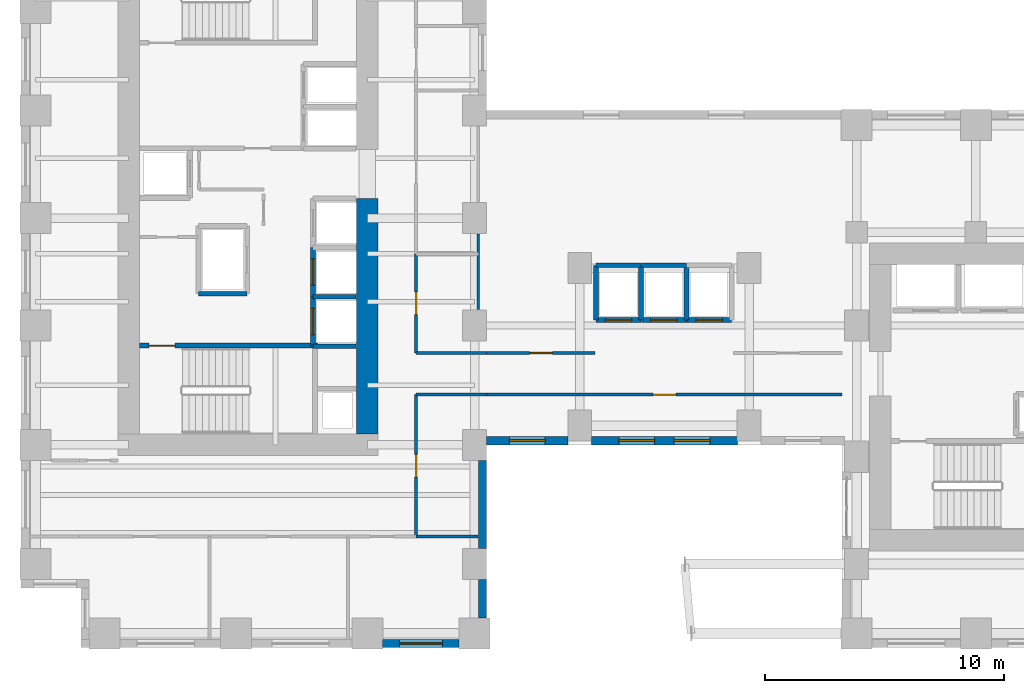
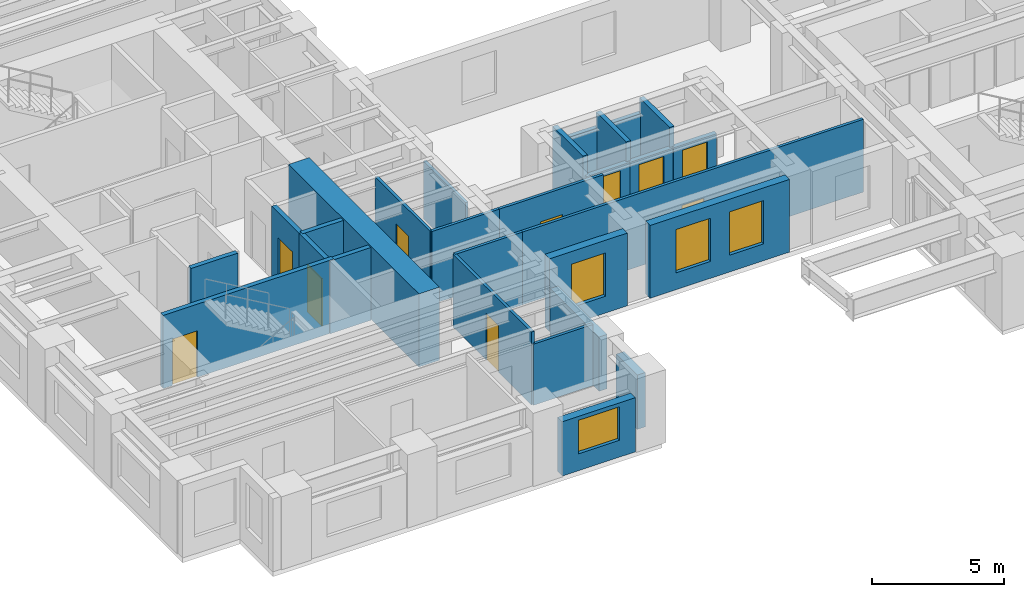
# One storey, part 7 of 14: 28 walls, 10 doors, 4 windows, 14 openings.
"""IFC4 building model written with IfcOpenShell, lengths in metres."""

import ifcopenshell
import ifcopenshell.guid

model = None  # the IFC model being written
_history = None  # IfcOwnerHistory: only IFC2X3 demands one
_inside = {}  # id of a spatial element -> (the spatial element, [elements in it])
_under = {}  # id of a project, library or spatial element -> (it, [spatial elements below it])
_declared = {}  # id of a project -> (the project, [libraries it declares])
_typed = {}  # id of a type object -> (the type object, [elements of that type])
_made_of = {}  # id of a material, layer set ... -> (it, [elements and type objects made of it])


def new_model(schema):
    """Start an empty IFC model of exactly this schema.

    Asked for "IFC4X3", IfcOpenShell would pick the latest addendum, in which some entities
    have other attributes; the version numbers below select the first issue.
    IFC2X3 requires an IfcOwnerHistory on every rooted entity: one is made here for all.
    """
    global model, _history
    if schema == "IFC4X3":
        model = ifcopenshell.file(schema_version=(4, 3, 0, 0))
    else:
        model = ifcopenshell.file(schema=schema)
    _inside.clear()
    _under.clear()
    _declared.clear()
    _typed.clear()
    _made_of.clear()
    _history = None
    if model.schema == "IFC2X3":
        org = make("IfcOrganization", Name="unknown")
        user = make(
            "IfcPersonAndOrganization",
            ThePerson=make("IfcPerson", FamilyName="unknown"),
            TheOrganization=org,
        )
        app = make(
            "IfcApplication",
            ApplicationDeveloper=org,
            Version="unknown",
            ApplicationFullName="unknown",
            ApplicationIdentifier="unknown",
        )
        _history = make(
            "IfcOwnerHistory",
            OwningUser=user,
            OwningApplication=app,
            ChangeAction="ADDED",
            CreationDate=0,
        )
    return model


def make(cls, **values):
    """One entity of the class cls with the attributes given. An attribute that is None is left unset."""
    return model.create_entity(
        cls, **{name: value for name, value in values.items() if value is not None}
    )


def rooted(cls, **values):
    """An entity with a GlobalId (a new one), such as an element, a storey or a relation."""
    return make(cls, GlobalId=ifcopenshell.guid.new(), OwnerHistory=_history, **values)


def si_unit(unit_type, name, prefix=None):
    """IfcSIUnit, for example si_unit("LENGTHUNIT", "METRE", prefix="MILLI")."""
    return make("IfcSIUnit", UnitType=unit_type, Prefix=prefix, Name=name)


def assignment(units):
    """IfcUnitAssignment: the units of a project."""
    return None if units is None else make("IfcUnitAssignment", Units=units)


def point(xyz):
    """IfcCartesianPoint."""
    return None if xyz is None else make("IfcCartesianPoint", Coordinates=xyz)


def direction(xyz):
    """IfcDirection."""
    return None if xyz is None else make("IfcDirection", DirectionRatios=xyz)


def frame(location, z_axis=None, x_axis=None):
    """IfcAxis2Placement3D, a coordinate frame: its origin and axes. An axis left out is left unset."""
    return make(
        "IfcAxis2Placement3D",
        Location=point(location),
        Axis=direction(z_axis),
        RefDirection=direction(x_axis),
    )


def frame_2d(location, x_axis=None):
    """IfcAxis2Placement2D, a coordinate frame in the plane: its origin and x axis."""
    return make(
        "IfcAxis2Placement2D", Location=point(location), RefDirection=direction(x_axis)
    )


def origin():
    """The frame at (0, 0, 0) with its axes left unset."""
    return frame((0.0, 0.0, 0.0))


def place(relative_to, where):
    """IfcLocalPlacement: puts the frame where relative to a parent placement (None: the world)."""
    return make(
        "IfcLocalPlacement", PlacementRelTo=relative_to, RelativePlacement=where
    )


def context(
    kind, dimensions, precision=None, world=None, true_north=None, identifier=None
):
    """IfcGeometricRepresentationContext, for example the 3D "Model" context."""
    return make(
        "IfcGeometricRepresentationContext",
        ContextIdentifier=identifier,
        ContextType=kind,
        CoordinateSpaceDimension=dimensions,
        Precision=precision,
        WorldCoordinateSystem=world,
        TrueNorth=true_north,
    )


def subcontext(parent, identifier, kind, view, scale=None):
    """IfcGeometricRepresentationSubContext, for example "Body" below "Model"."""
    return make(
        "IfcGeometricRepresentationSubContext",
        ContextIdentifier=identifier,
        ContextType=kind,
        ParentContext=parent,
        TargetScale=scale,
        TargetView=view,
    )


def project(units=None, contexts=None):
    """IfcProject with its units and contexts."""
    return rooted(
        "IfcProject",
        Name="project",
        RepresentationContexts=contexts,
        UnitsInContext=assignment(units),
    )


def spatial(cls, under=None, at=None, **own):
    """A site, building, storey or space (cls), placed at a placement, below another one or the project."""
    s = rooted(cls, ObjectPlacement=at, **own)
    if under is not None:
        _under.setdefault(under.id(), (under, []))[1].append(s)
    return s


def profile(cls, at=None, kind="AREA", **sizes):
    """A parametric profile (cls). Its sizes go by their IFC names, for example OverallWidth=200.0."""
    return make(cls, ProfileType=kind, Position=at, **sizes)


def rectangle(**sizes):
    """IfcRectangleProfileDef."""
    return profile("IfcRectangleProfileDef", **sizes)


def extrude(swept, where, along, depth):
    """IfcExtrudedAreaSolid: the profile swept, set in the frame where, extruded along a direction by depth."""
    return make(
        "IfcExtrudedAreaSolid",
        SweptArea=swept,
        Position=where,
        ExtrudedDirection=direction(along),
        Depth=depth,
    )


def shape(context_of_items, identifier, shape_type, items):
    """IfcShapeRepresentation: the items that make up one representation, for example the "Body"."""
    return make(
        "IfcShapeRepresentation",
        ContextOfItems=context_of_items,
        RepresentationIdentifier=identifier,
        RepresentationType=shape_type,
        Items=items,
    )


def source(mapping_origin, context_of_items, identifier, shape_type, items):
    """IfcRepresentationMap: a shape defined once, which mapped items show again and again."""
    return make(
        "IfcRepresentationMap",
        MappingOrigin=mapping_origin,
        MappedRepresentation=shape(context_of_items, identifier, shape_type, items),
    )


def transform(
    local_origin,
    x_axis=None,
    y_axis=None,
    z_axis=None,
    scale=None,
    scale2=None,
    scale3=None,
    uniform=True,
):
    """IfcCartesianTransformationOperator3D, or its non-uniform kind. x_axis, y_axis, z_axis: its Axis1, 2, 3."""
    if uniform:
        return make(
            "IfcCartesianTransformationOperator3D",
            Axis1=direction(x_axis),
            Axis2=direction(y_axis),
            LocalOrigin=point(local_origin),
            Scale=scale,
            Axis3=direction(z_axis),
        )
    return make(
        "IfcCartesianTransformationOperator3DnonUniform",
        Axis1=direction(x_axis),
        Axis2=direction(y_axis),
        LocalOrigin=point(local_origin),
        Scale=scale,
        Axis3=direction(z_axis),
        Scale2=scale2,
        Scale3=scale3,
    )


def mapped(mapping_source, mapping_target):
    """IfcMappedItem: shows the shape of a source again, moved by a transform."""
    return make(
        "IfcMappedItem", MappingSource=mapping_source, MappingTarget=mapping_target
    )


def material(Name=None, Category=None):
    """IfcMaterial."""
    return make("IfcMaterial", Name=Name, Category=Category)


def layer(
    of_material, thickness, ventilated=None, Name=None, Category=None, Priority=None
):
    """IfcMaterialLayer: one layer of a wall or slab, of a material (None: an air gap)."""
    return make(
        "IfcMaterialLayer",
        Material=of_material,
        LayerThickness=thickness,
        IsVentilated=ventilated,
        Name=Name,
        Category=Category,
        Priority=Priority,
    )


def layer_set(layers, Name=None):
    """IfcMaterialLayerSet."""
    return make("IfcMaterialLayerSet", MaterialLayers=layers, LayerSetName=Name)


def made_of(thing, what):
    """Note that an element or type object is made of a material, layer set ...; save() writes the relation."""
    if what is not None:
        _made_of.setdefault(what.id(), (what, []))[1].append(thing)
    return thing


def type_object(cls, material=None, **own):
    """A type object (cls), such as IfcWallType, which elements share."""
    return made_of(rooted(cls, **own), material)


def element(
    cls,
    number,
    at=None,
    inside=None,
    cuts=None,
    type_object=None,
    material=None,
    context=None,
    identifier="Body",
    shape_type=None,
    held_by="IfcProductDefinitionShape",
    body=None,
    shapes=None,
    **own,
):
    """One element of the class cls, such as IfcWall. Its Tag is "e" and its number.

    at: its placement. inside: the storey or other place that contains it. cuts: it is an
    opening in that element (IfcRelVoidsElement). A single representation is given by context,
    identifier, shape_type and body (its items); several are given by shapes. held_by: the class
    of the entity that holds the representations. save() writes the other relations.
    """
    e = rooted(cls, Tag="e%d" % number, ObjectPlacement=at, **own)
    if body is not None:
        shapes = [shape(context, identifier, shape_type, body)]
    if shapes is not None:
        e.Representation = make(held_by, Representations=shapes)
    if inside is not None:
        _inside.setdefault(inside.id(), (inside, []))[1].append(e)
    if cuts is not None:
        rooted(
            "IfcRelVoidsElement", RelatingBuildingElement=cuts, RelatedOpeningElement=e
        )
    if type_object is not None:
        _typed.setdefault(type_object.id(), (type_object, []))[1].append(e)
    return made_of(e, material)


def fill(opening, filler):
    """IfcRelFillsElement: the door or window that sits in an opening."""
    return rooted(
        "IfcRelFillsElement",
        RelatingOpeningElement=opening,
        RelatedBuildingElement=filler,
    )


def aggregate(whole, parts):
    """IfcRelAggregates: a whole, such as a stair, and the parts it consists of."""
    return rooted("IfcRelAggregates", RelatingObject=whole, RelatedObjects=parts)


def save(model, path):
    """Write the relations noted so far, then the file.

    IfcRelAggregates (storeys below a building ...), IfcRelContainedInSpatialStructure (elements
    in a storey), IfcRelDefinesByType, IfcRelAssociatesMaterial and IfcRelDeclares: one each for
    every whole, place, type object, material and project.
    """
    for whole, parts in _under.values():
        aggregate(whole, parts)
    for where, things in _inside.values():
        rooted(
            "IfcRelContainedInSpatialStructure",
            RelatedElements=things,
            RelatingStructure=where,
        )
    for kind, things in _typed.values():
        rooted("IfcRelDefinesByType", RelatedObjects=things, RelatingType=kind)
    for what, things in _made_of.values():
        rooted("IfcRelAssociatesMaterial", RelatedObjects=things, RelatingMaterial=what)
    for by, libraries in _declared.values():
        rooted("IfcRelDeclares", RelatingContext=by, RelatedDefinitions=libraries)
    model.write(path)


model = new_model("IFC4")

# Units and contexts
model_context = context("Model", 3, precision=1e-05, world=origin(), true_north=direction((0.0, 1.0)))
body_context = subcontext(model_context, "Body", "Model", "MODEL_VIEW")
ifc_project = project(units=[si_unit("LENGTHUNIT", "METRE"), si_unit("AREAUNIT", "SQUARE_METRE"), si_unit("VOLUMEUNIT", "CUBIC_METRE"), si_unit("PLANEANGLEUNIT", "RADIAN"), si_unit("MASSUNIT", "GRAM", prefix="KILO")], contexts=[model_context])

# Site, building, storey
site_placement = place(None, origin())
site = spatial("IfcSite", under=ifc_project, at=site_placement, CompositionType="ELEMENT")
building_placement = place(site_placement, origin())
building = spatial("IfcBuilding", under=site, at=building_placement, Name="Kharzan Plaza Tower", CompositionType="ELEMENT")
storey_placement = place(building_placement, frame((0.0, 0.0, 44.10009765625)))
storey = spatial("IfcBuildingStorey", under=building, at=storey_placement, Name="L11", CompositionType="ELEMENT", Elevation=44.10009765625)

# Wall, opening, window
ifc_material_1 = material(Name="Concrete C40/50", Category="concrete")
ifc_layer_1 = layer(ifc_material_1, 0.35009765625)
ifc_layer_set_1 = layer_set([ifc_layer_1], Name="Concrete C40/50")
wall_type_1 = type_object("IfcWallType", Name="WL-EXT-MAS-Z1", PredefinedType="SOLIDWALL", material=ifc_layer_set_1)
wall_1_placement = place(storey_placement, frame((15.14794921875, 0.175048828125, 0.0), z_axis=(0.0, 0.0, 1.0), x_axis=(1.0, 0.0, 0.0)))
wall_1 = element("IfcWall", 1, at=wall_1_placement, inside=storey, type_object=wall_type_1, Name="L11 Masonry-Frame Exterior Wall 25", PredefinedType="SOLIDWALL", context=body_context, shape_type="SweptSolid", body=[
    extrude(rectangle(XDim=3.2041015625, YDim=0.35009765625, at=frame_2d((1.60205078125, 0.0))), origin(), (0.0, 0.0, 1.0), 2.510009765625),
])
opening_1_placement = place(wall_1_placement, frame((0.701904296875, 0.0, 0.780029296875)))
opening_1 = element("IfcOpeningElement", 2, at=opening_1_placement, cuts=wall_1, Name="Opening W1", PredefinedType="OPENING", context=body_context, shape_type="SweptSolid", body=[
    extrude(rectangle(XDim=1.800048828125, YDim=1.550048828125, at=frame_2d((0.89990234375, 0.77490234375))), frame((0.0, 0.18505859375, 0.0), z_axis=(0.0, -1.0, 0.0), x_axis=(1.0, 0.0, 0.0)), (0.0, 0.0, 1.0), 0.3701171875),
])
ifc_material_2 = material(Name="Low-E Double Glazing", Category="glass")
window_type_1 = type_object("IfcWindowType", Name="WN-REC-1800x2100", PartitioningType="SINGLE_PANEL", PredefinedType="WINDOW", material=ifc_material_2)
shared_shape_1 = source(origin(), body_context, "Body", "SweptSolid", [
    extrude(rectangle(XDim=1.800048828125, YDim=1.550048828125, at=frame_2d((0.89990234375, 0.77490234375))), frame((0.0, 0.030029296875, 0.0), z_axis=(0.0, -1.0, 0.0), x_axis=(1.0, 0.0, 0.0)), (0.0, 0.0, 1.0), 0.06005859375),
])
window_1_placement = place(opening_1_placement, origin())
window_1 = element("IfcWindow", 3, at=window_1_placement, inside=storey, type_object=window_type_1, Name="L11 Recessed Solar-Control Window 25-1", OverallHeight=1.550048828125, OverallWidth=1.800048828125, PartitioningType="SINGLE_PANEL", PredefinedType="WINDOW", context=body_context, shape_type="MappedRepresentation", body=[
    mapped(shared_shape_1, transform((0.0, 0.0, 0.0), x_axis=(1.0, 0.0, 0.0), y_axis=(0.0, 1.0, 0.0), z_axis=(0.0, 0.0, 1.0))),
])
fill(opening_1, window_1)

wall_2_placement = place(storey_placement, frame((19.498046875, 8.675048828125, 0.0), z_axis=(0.0, 0.0, 1.0), x_axis=(1.0, 0.0, 0.0)))
wall_2 = element("IfcWall", 4, at=wall_2_placement, inside=storey, type_object=wall_type_1, Name="L11 Masonry-Frame Exterior Wall 28", PredefinedType="SOLIDWALL", context=body_context, shape_type="SweptSolid", body=[
    extrude(rectangle(XDim=3.404052734375, YDim=0.35009765625, at=frame_2d((1.7021484375, 0.0))), origin(), (0.0, 0.0, 1.0), 3.364990234375),
])
opening_2_placement = place(wall_2_placement, frame((0.951904296875, 0.0, 0.780029296875)))
opening_2 = element("IfcOpeningElement", 5, at=opening_2_placement, cuts=wall_2, Name="Opening W5", PredefinedType="OPENING", context=body_context, shape_type="SweptSolid", body=[
    extrude(rectangle(XDim=1.5, YDim=2.0, at=frame_2d((0.75, 1.0))), frame((0.0, 0.18505859375, 0.0), z_axis=(0.0, -1.0, 0.0), x_axis=(1.0, 0.0, 0.0)), (0.0, 0.0, 1.0), 0.3701171875),
])
window_type_2 = type_object("IfcWindowType", Name="WN-SLT-1500x2000", PartitioningType="SINGLE_PANEL", PredefinedType="WINDOW", material=ifc_material_2)
shared_shape_2 = source(origin(), body_context, "Body", "SweptSolid", [
    extrude(rectangle(XDim=1.5, YDim=2.0, at=frame_2d((0.75, 1.0))), frame((0.0, 0.030029296875, 0.0), z_axis=(0.0, -1.0, 0.0), x_axis=(1.0, 0.0, 0.0)), (0.0, 0.0, 1.0), 0.06005859375),
])
window_2_placement = place(opening_2_placement, origin())
window_2 = element("IfcWindow", 6, at=window_2_placement, inside=storey, type_object=window_type_2, Name="L11 Recessed Solar-Control Window 28-1", OverallHeight=2.0, OverallWidth=1.5, PartitioningType="SINGLE_PANEL", PredefinedType="WINDOW", context=body_context, shape_type="MappedRepresentation", body=[
    mapped(shared_shape_2, transform((0.0, 0.0, 0.0), x_axis=(1.0, 0.0, 0.0), y_axis=(0.0, 1.0, 0.0), z_axis=(0.0, 0.0, 1.0))),
])
fill(opening_2, window_2)

# Wall, openings, windows
wall_3_placement = place(storey_placement, frame((23.89794921875, 8.675048828125, 0.0), z_axis=(0.0, 0.0, 1.0), x_axis=(1.0, 0.0, 0.0)))
wall_3 = element("IfcWall", 7, at=wall_3_placement, inside=storey, type_object=wall_type_1, Name="L11 Masonry-Frame Exterior Wall 29", PredefinedType="SOLIDWALL", context=body_context, shape_type="SweptSolid", body=[
    extrude(rectangle(XDim=6.10400390625, YDim=0.35009765625, at=frame_2d((3.052001953125, 0.0))), origin(), (0.0, 0.0, 1.0), 3.364990234375),
])
opening_3_placement = place(wall_3_placement, frame((1.141357421875, 0.0, 0.780029296875)))
opening_3 = element("IfcOpeningElement", 8, at=opening_3_placement, cuts=wall_3, Name="Opening W5", PredefinedType="OPENING", context=body_context, shape_type="SweptSolid", body=[
    extrude(rectangle(XDim=1.5, YDim=2.0, at=frame_2d((0.75, 1.0))), frame((0.0, 0.18505859375, 0.0), z_axis=(0.0, -1.0, 0.0), x_axis=(1.0, 0.0, 0.0)), (0.0, 0.0, 1.0), 0.3701171875),
])
opening_4_placement = place(wall_3_placement, frame((3.462646484375, 0.0, 0.780029296875)))
opening_4 = element("IfcOpeningElement", 9, at=opening_4_placement, cuts=wall_3, Name="Opening W5", PredefinedType="OPENING", context=body_context, shape_type="SweptSolid", body=[
    extrude(rectangle(XDim=1.5, YDim=2.0, at=frame_2d((0.75, 1.0))), frame((0.0, 0.18505859375, 0.0), z_axis=(0.0, -1.0, 0.0), x_axis=(1.0, 0.0, 0.0)), (0.0, 0.0, 1.0), 0.3701171875),
])
window_3_placement = place(opening_3_placement, origin())
window_3 = element("IfcWindow", 10, at=window_3_placement, inside=storey, type_object=window_type_2, Name="L11 Recessed Solar-Control Window 29-1", OverallHeight=2.0, OverallWidth=1.5, PartitioningType="SINGLE_PANEL", PredefinedType="WINDOW", context=body_context, shape_type="MappedRepresentation", body=[
    mapped(shared_shape_2, transform((0.0, 0.0, 0.0), x_axis=(1.0, 0.0, 0.0), y_axis=(0.0, 1.0, 0.0), z_axis=(0.0, 0.0, 1.0))),
])
fill(opening_3, window_3)
window_4_placement = place(opening_4_placement, origin())
window_4 = element("IfcWindow", 11, at=window_4_placement, inside=storey, type_object=window_type_2, Name="L11 Recessed Solar-Control Window 29-2", OverallHeight=2.0, OverallWidth=1.5, PartitioningType="SINGLE_PANEL", PredefinedType="WINDOW", context=body_context, shape_type="MappedRepresentation", body=[
    mapped(shared_shape_2, transform((0.0, 0.0, 0.0), x_axis=(1.0, 0.0, 0.0), y_axis=(0.0, 1.0, 0.0), z_axis=(0.0, 0.0, 1.0))),
])
fill(opening_4, window_4)

# Wall, opening, door
ifc_material_3 = material(Name="Fire-Rated Gypsum Board Partition", Category="gypsum")
ifc_layer_2 = layer(ifc_material_3, 0.125)
ifc_layer_set_2 = layer_set([ifc_layer_2], Name="Fire-Rated Gypsum Board Partition")
wall_type_2 = type_object("IfcWallType", Name="WL-INT-PART-125", PredefinedType="PARTITIONING", material=ifc_layer_set_2)
wall_4_placement = place(storey_placement, frame((16.550048828125, 12.35009765625, 0.0), z_axis=(0.0, 0.0, 1.0), x_axis=(0.0, 1.0, 0.0)))
wall_4 = element("IfcWall", 12, at=wall_4_placement, inside=storey, type_object=wall_type_2, Name="L11 Interior Partition SH-AEWN1", PredefinedType="PARTITIONING", context=body_context, shape_type="SweptSolid", body=[
    extrude(rectangle(XDim=4.14990234375, YDim=0.125, at=frame_2d((2.074951171875, 0.0))), origin(), (0.0, 0.0, 1.0), 3.364990234375),
])
opening_5_placement = place(wall_4_placement, frame((1.60009765625, 0.0, 0.0)))
opening_5 = element("IfcOpeningElement", 13, at=opening_5_placement, cuts=wall_4, Name="Opening OD1", PredefinedType="OPENING", context=body_context, shape_type="SweptSolid", body=[
    extrude(rectangle(XDim=0.949951171875, YDim=2.14990234375, at=frame_2d((0.47509765625, 1.074951171875))), frame((0.0, 0.072509765625, 0.0), z_axis=(0.0, -1.0, 0.0), x_axis=(1.0, 0.0, 0.0)), (0.0, 0.0, 1.0), 0.14501953125),
])
ifc_material_4 = material(Name="Acoustic Solid-Core Stained Oak", Category="timber")
door_type_1 = type_object("IfcDoorType", Name="DR-OFF-SINGLE", OperationType="NOTDEFINED", PredefinedType="DOOR", material=ifc_material_4)
shared_shape_3 = source(origin(), body_context, "Body", "SweptSolid", [
    extrude(rectangle(XDim=0.949951171875, YDim=2.14990234375, at=frame_2d((0.47509765625, 1.074951171875))), frame((0.0, 0.02490234375, 0.0), z_axis=(0.0, -1.0, 0.0), x_axis=(1.0, 0.0, 0.0)), (0.0, 0.0, 1.0), 0.050048828125),
])
door_1_placement = place(opening_5_placement, origin())
door_1 = element("IfcDoor", 14, at=door_1_placement, inside=storey, type_object=door_type_1, Name="L11 Slot Collaboration Door", OperationType="SINGLE_SWING_RIGHT", OverallHeight=2.14990234375, OverallWidth=0.949951171875, PredefinedType="DOOR", context=body_context, shape_type="MappedRepresentation", body=[
    mapped(shared_shape_3, transform((0.0, 0.0, 0.0), x_axis=(1.0, 0.0, 0.0), y_axis=(0.0, 1.0, 0.0), z_axis=(0.0, 0.0, 1.0))),
])
fill(opening_5, door_1)

wall_5_placement = place(storey_placement, frame((16.550048828125, 4.64990234375, 0.0), z_axis=(0.0, 0.0, 1.0), x_axis=(0.0, 1.0, 0.0)))
wall_5 = element("IfcWall", 15, at=wall_5_placement, inside=storey, type_object=wall_type_2, Name="L11 Interior Partition SH-AEWS", PredefinedType="PARTITIONING", context=body_context, shape_type="SweptSolid", body=[
    extrude(rectangle(XDim=5.9501953125, YDim=0.125, at=frame_2d((2.97509765625, 0.0))), origin(), (0.0, 0.0, 1.0), 3.364990234375),
])
opening_6_placement = place(wall_5_placement, frame((2.5, 0.0, 0.0)))
opening_6 = element("IfcOpeningElement", 16, at=opening_6_placement, cuts=wall_5, Name="Opening OD1", PredefinedType="OPENING", context=body_context, shape_type="SweptSolid", body=[
    extrude(rectangle(XDim=0.949951171875, YDim=2.14990234375, at=frame_2d((0.47509765625, 1.074951171875))), frame((0.0, 0.072509765625, 0.0), z_axis=(0.0, -1.0, 0.0), x_axis=(1.0, 0.0, 0.0)), (0.0, 0.0, 1.0), 0.14501953125),
])
door_2_placement = place(opening_6_placement, origin())
door_2 = element("IfcDoor", 17, at=door_2_placement, inside=storey, type_object=door_type_1, Name="L11 Slot South Office Door", OperationType="SINGLE_SWING_LEFT", OverallHeight=2.14990234375, OverallWidth=0.949951171875, PredefinedType="DOOR", context=body_context, shape_type="MappedRepresentation", body=[
    mapped(shared_shape_3, transform((0.0, 0.0, 0.0), x_axis=(1.0, 0.0, 0.0), y_axis=(0.0, 1.0, 0.0), z_axis=(0.0, 0.0, 1.0))),
])
fill(opening_6, door_2)

wall_6_placement = place(storey_placement, frame((19.5, 12.35009765625, 0.0), z_axis=(0.0, 0.0, 1.0), x_axis=(1.0, 0.0, 0.0)))
wall_6 = element("IfcWall", 18, at=wall_6_placement, inside=storey, type_object=wall_type_2, Name="L11 Interior Partition SH-SPNW1", PredefinedType="PARTITIONING", context=body_context, shape_type="SweptSolid", body=[
    extrude(rectangle(XDim=4.550048828125, YDim=0.125, at=frame_2d((2.27490234375, 0.0))), origin(), (0.0, 0.0, 1.0), 3.364990234375),
])
opening_7_placement = place(wall_6_placement, frame((1.800048828125, 0.0, 0.0)))
opening_7 = element("IfcOpeningElement", 19, at=opening_7_placement, cuts=wall_6, Name="Opening OD1", PredefinedType="OPENING", context=body_context, shape_type="SweptSolid", body=[
    extrude(rectangle(XDim=0.949951171875, YDim=2.14990234375, at=frame_2d((0.47509765625, 1.074951171875))), frame((0.0, 0.072509765625, 0.0), z_axis=(0.0, -1.0, 0.0), x_axis=(1.0, 0.0, 0.0)), (0.0, 0.0, 1.0), 0.14501953125),
])
door_3_placement = place(opening_7_placement, origin())
door_3 = element("IfcDoor", 20, at=door_3_placement, inside=storey, type_object=door_type_1, Name="L11 North-West Spine Door", OperationType="SINGLE_SWING_LEFT", OverallHeight=2.14990234375, OverallWidth=0.949951171875, PredefinedType="DOOR", context=body_context, shape_type="MappedRepresentation", body=[
    mapped(shared_shape_3, transform((0.0, 0.0, 0.0), x_axis=(1.0, 0.0, 0.0), y_axis=(0.0, 1.0, 0.0), z_axis=(0.0, 0.0, 1.0))),
])
fill(opening_7, door_3)

wall_7_placement = place(storey_placement, frame((19.5, 10.60009765625, 0.0), z_axis=(0.0, 0.0, 1.0), x_axis=(1.0, 0.0, 0.0)))
wall_7 = element("IfcWall", 21, at=wall_7_placement, inside=storey, type_object=wall_type_2, Name="L11 Interior Partition SH-SPS1", PredefinedType="PARTITIONING", context=body_context, shape_type="SweptSolid", body=[
    extrude(rectangle(XDim=14.89990234375, YDim=0.125, at=frame_2d((7.449951171875, 0.0))), origin(), (0.0, 0.0, 1.0), 3.364990234375),
])
opening_8_placement = place(wall_7_placement, frame((6.97509765625, 0.0, 0.0)))
opening_8 = element("IfcOpeningElement", 22, at=opening_8_placement, cuts=wall_7, Name="Opening OD1", PredefinedType="OPENING", context=body_context, shape_type="SweptSolid", body=[
    extrude(rectangle(XDim=0.949951171875, YDim=2.14990234375, at=frame_2d((0.47509765625, 1.074951171875))), frame((0.0, 0.072509765625, 0.0), z_axis=(0.0, -1.0, 0.0), x_axis=(1.0, 0.0, 0.0)), (0.0, 0.0, 1.0), 0.14501953125),
])
door_4_placement = place(opening_8_placement, origin())
door_4 = element("IfcDoor", 23, at=door_4_placement, inside=storey, type_object=door_type_1, Name="L11 South Spine Studio Door", OperationType="SINGLE_SWING_RIGHT", OverallHeight=2.14990234375, OverallWidth=0.949951171875, PredefinedType="DOOR", context=body_context, shape_type="MappedRepresentation", body=[
    mapped(shared_shape_3, transform((0.0, 0.0, 0.0), x_axis=(1.0, 0.0, 0.0), y_axis=(0.0, 1.0, 0.0), z_axis=(0.0, 0.0, 1.0))),
])
fill(opening_8, door_4)

ifc_layer_3 = layer(ifc_material_1, 0.199951171875)
ifc_layer_set_3 = layer_set([ifc_layer_3], Name="Concrete C40/50")
wall_type_3 = type_object("IfcWallType", Name="WL-INT-SHAFT-200", PredefinedType="PARTITIONING", material=ifc_layer_set_3)
wall_8_placement = place(storey_placement, frame((12.22998046875, 12.6298828125, 0.0), z_axis=(0.0, 0.0, 1.0), x_axis=(0.0, 1.0, 0.0)))
wall_8 = element("IfcWall", 24, at=wall_8_placement, inside=storey, type_object=wall_type_3, Name="L11 Interior Partition SHF-PL-H1-W", PredefinedType="PARTITIONING", context=body_context, shape_type="SweptSolid", body=[
    extrude(rectangle(XDim=2.070068359375, YDim=0.199951171875, at=frame_2d((1.03515625, 0.0))), origin(), (0.0, 0.0, 1.0), 3.364990234375),
])
opening_9_placement = place(wall_8_placement, frame((0.485107421875, 0.0, 0.0)))
opening_9 = element("IfcOpeningElement", 25, at=opening_9_placement, cuts=wall_8, Name="Opening LD", PredefinedType="OPENING", context=body_context, shape_type="SweptSolid", body=[
    extrude(rectangle(XDim=1.10009765625, YDim=2.199951171875, at=frame_2d((0.550048828125, 1.10009765625))), frame((0.0, 0.10986328125, 0.0), z_axis=(0.0, -1.0, 0.0), x_axis=(1.0, 0.0, 0.0)), (0.0, 0.0, 1.0), 0.219970703125),
])
ifc_material_5 = material(Name="Brushed Stainless Steel", Category="steel")
door_type_2 = type_object("IfcDoorType", Name="DR-LIFT-SLIDE", OperationType="SLIDING_TO_LEFT", PredefinedType="DOOR", material=ifc_material_5)
shared_shape_4 = source(origin(), body_context, "Body", "SweptSolid", [
    extrude(rectangle(XDim=1.10009765625, YDim=2.199951171875, at=frame_2d((0.550048828125, 1.10009765625))), frame((0.0, 0.02490234375, 0.0), z_axis=(0.0, -1.0, 0.0), x_axis=(1.0, 0.0, 0.0)), (0.0, 0.0, 1.0), 0.050048828125),
])
door_5_placement = place(opening_9_placement, origin())
door_5 = element("IfcDoor", 26, at=door_5_placement, inside=storey, type_object=door_type_2, Name="L11 High-Rise Passenger Lift PL-H1 Sliding Landing Door", OperationType="SLIDING_TO_LEFT", OverallHeight=2.199951171875, OverallWidth=1.10009765625, PredefinedType="DOOR", context=body_context, shape_type="MappedRepresentation", body=[
    mapped(shared_shape_4, transform((0.0, 0.0, 0.0), x_axis=(1.0, 0.0, 0.0), y_axis=(0.0, 1.0, 0.0), z_axis=(0.0, 0.0, 1.0))),
])
fill(opening_9, door_5)

wall_9_placement = place(storey_placement, frame((12.22998046875, 14.699951171875, 0.0), z_axis=(0.0, 0.0, 1.0), x_axis=(0.0, 1.0, 0.0)))
wall_9 = element("IfcWall", 27, at=wall_9_placement, inside=storey, type_object=wall_type_3, Name="L11 Interior Partition SHF-PL-H2-W", PredefinedType="PARTITIONING", context=body_context, shape_type="SweptSolid", body=[
    extrude(rectangle(XDim=2.070068359375, YDim=0.199951171875, at=frame_2d((1.03515625, 0.0))), origin(), (0.0, 0.0, 1.0), 3.364990234375),
])
opening_10_placement = place(wall_9_placement, frame((0.485107421875, 0.0, 0.0)))
opening_10 = element("IfcOpeningElement", 28, at=opening_10_placement, cuts=wall_9, Name="Opening LD", PredefinedType="OPENING", context=body_context, shape_type="SweptSolid", body=[
    extrude(rectangle(XDim=1.10009765625, YDim=2.199951171875, at=frame_2d((0.550048828125, 1.10009765625))), frame((0.0, 0.10986328125, 0.0), z_axis=(0.0, -1.0, 0.0), x_axis=(1.0, 0.0, 0.0)), (0.0, 0.0, 1.0), 0.219970703125),
])
door_6_placement = place(opening_10_placement, origin())
door_6 = element("IfcDoor", 29, at=door_6_placement, inside=storey, type_object=door_type_2, Name="L11 High-Rise Passenger Lift PL-H2 Sliding Landing Door", OperationType="SLIDING_TO_LEFT", OverallHeight=2.199951171875, OverallWidth=1.10009765625, PredefinedType="DOOR", context=body_context, shape_type="MappedRepresentation", body=[
    mapped(shared_shape_4, transform((0.0, 0.0, 0.0), x_axis=(1.0, 0.0, 0.0), y_axis=(0.0, 1.0, 0.0), z_axis=(0.0, 0.0, 1.0))),
])
fill(opening_10, door_6)

wall_10_placement = place(storey_placement, frame((24.080078125, 13.72998046875, 0.0), z_axis=(0.0, 0.0, 1.0), x_axis=(1.0, 0.0, 0.0)))
wall_10 = element("IfcWall", 30, at=wall_10_placement, inside=storey, type_object=wall_type_3, Name="L11 Interior Partition SHF-PL-M1-S", PredefinedType="PARTITIONING", context=body_context, shape_type="SweptSolid", body=[
    extrude(rectangle(XDim=1.889892578125, YDim=0.199951171875, at=frame_2d((0.94482421875, 0.0))), origin(), (0.0, 0.0, 1.0), 2.44580078125),
])
opening_11_placement = place(wall_10_placement, frame((0.39501953125, 0.0, 0.0)))
opening_11 = element("IfcOpeningElement", 31, at=opening_11_placement, cuts=wall_10, Name="Opening LD", PredefinedType="OPENING", context=body_context, shape_type="SweptSolid", body=[
    extrude(rectangle(XDim=1.10009765625, YDim=2.199951171875, at=frame_2d((0.550048828125, 1.10009765625))), frame((0.0, 0.10986328125, 0.0), z_axis=(0.0, -1.0, 0.0), x_axis=(1.0, 0.0, 0.0)), (0.0, 0.0, 1.0), 0.219970703125),
])
door_7_placement = place(opening_11_placement, origin())
door_7 = element("IfcDoor", 32, at=door_7_placement, inside=storey, type_object=door_type_2, Name="L11 Mid-Rise Passenger Lift PL-M1 Sliding Landing Door", OperationType="SLIDING_TO_LEFT", OverallHeight=2.199951171875, OverallWidth=1.10009765625, PredefinedType="DOOR", context=body_context, shape_type="MappedRepresentation", body=[
    mapped(shared_shape_4, transform((0.0, 0.0, 0.0), x_axis=(1.0, 0.0, 0.0), y_axis=(0.0, 1.0, 0.0), z_axis=(0.0, 0.0, 1.0))),
])
fill(opening_11, door_7)

wall_11_placement = place(storey_placement, frame((25.97998046875, 13.72998046875, 0.0), z_axis=(0.0, 0.0, 1.0), x_axis=(1.0, 0.0, 0.0)))
wall_11 = element("IfcWall", 33, at=wall_11_placement, inside=storey, type_object=wall_type_3, Name="L11 Interior Partition SHF-PL-M2-S", PredefinedType="PARTITIONING", context=body_context, shape_type="SweptSolid", body=[
    extrude(rectangle(XDim=1.89013671875, YDim=0.199951171875, at=frame_2d((0.945068359375, 0.0))), origin(), (0.0, 0.0, 1.0), 2.44580078125),
])
opening_12_placement = place(wall_11_placement, frame((0.39501953125, 0.0, 0.0)))
opening_12 = element("IfcOpeningElement", 34, at=opening_12_placement, cuts=wall_11, Name="Opening LD", PredefinedType="OPENING", context=body_context, shape_type="SweptSolid", body=[
    extrude(rectangle(XDim=1.10009765625, YDim=2.199951171875, at=frame_2d((0.550048828125, 1.10009765625))), frame((0.0, 0.10986328125, 0.0), z_axis=(0.0, -1.0, 0.0), x_axis=(1.0, 0.0, 0.0)), (0.0, 0.0, 1.0), 0.219970703125),
])
door_8_placement = place(opening_12_placement, origin())
door_8 = element("IfcDoor", 35, at=door_8_placement, inside=storey, type_object=door_type_2, Name="L11 Mid-Rise Passenger Lift PL-M2 Sliding Landing Door", OperationType="SLIDING_TO_LEFT", OverallHeight=2.199951171875, OverallWidth=1.10009765625, PredefinedType="DOOR", context=body_context, shape_type="MappedRepresentation", body=[
    mapped(shared_shape_4, transform((0.0, 0.0, 0.0), x_axis=(1.0, 0.0, 0.0), y_axis=(0.0, 1.0, 0.0), z_axis=(0.0, 0.0, 1.0))),
])
fill(opening_12, door_8)

wall_12_placement = place(storey_placement, frame((27.8798828125, 13.72998046875, 0.0), z_axis=(0.0, 0.0, 1.0), x_axis=(1.0, 0.0, 0.0)))
wall_12 = element("IfcWall", 36, at=wall_12_placement, inside=storey, type_object=wall_type_3, Name="L11 Interior Partition SHF-PL-M3-S", PredefinedType="PARTITIONING", context=body_context, shape_type="SweptSolid", body=[
    extrude(rectangle(XDim=1.89013671875, YDim=0.199951171875, at=frame_2d((0.945068359375, 0.0))), origin(), (0.0, 0.0, 1.0), 2.44580078125),
])
opening_13_placement = place(wall_12_placement, frame((0.39501953125, 0.0, 0.0)))
opening_13 = element("IfcOpeningElement", 37, at=opening_13_placement, cuts=wall_12, Name="Opening LD", PredefinedType="OPENING", context=body_context, shape_type="SweptSolid", body=[
    extrude(rectangle(XDim=1.10009765625, YDim=2.199951171875, at=frame_2d((0.550048828125, 1.10009765625))), frame((0.0, 0.10986328125, 0.0), z_axis=(0.0, -1.0, 0.0), x_axis=(1.0, 0.0, 0.0)), (0.0, 0.0, 1.0), 0.219970703125),
])
door_9_placement = place(opening_13_placement, origin())
door_9 = element("IfcDoor", 38, at=door_9_placement, inside=storey, type_object=door_type_2, Name="L11 Mid-Rise Passenger Lift PL-M3 Sliding Landing Door", OperationType="SLIDING_TO_LEFT", OverallHeight=2.199951171875, OverallWidth=1.10009765625, PredefinedType="DOOR", context=body_context, shape_type="MappedRepresentation", body=[
    mapped(shared_shape_4, transform((0.0, 0.0, 0.0), x_axis=(1.0, 0.0, 0.0), y_axis=(0.0, 1.0, 0.0), z_axis=(0.0, 0.0, 1.0))),
])
fill(opening_13, door_9)

ifc_material_6 = material(Name="Concrete C50/60", Category="concrete")
ifc_layer_4 = layer(ifc_material_6, 0.199951171875)
ifc_layer_set_4 = layer_set([ifc_layer_4], Name="Concrete C50/60")
wall_type_4 = type_object("IfcWallType", Name="WL-SHAFT-RC200", PredefinedType="SHEAR", material=ifc_layer_set_4)
wall_13_placement = place(storey_placement, frame((4.951904296875, 12.655029296875, 0.0), z_axis=(0.0, 0.0, 1.0), x_axis=(1.0, 0.0, 0.0)))
wall_13 = element("IfcWall", 39, at=wall_13_placement, inside=storey, type_object=wall_type_4, Name="L11 Stair ST-1 North RC Shaft Wall", PredefinedType="SHEAR", context=body_context, shape_type="SweptSolid", body=[
    extrude(rectangle(XDim=7.453125, YDim=0.199951171875, at=frame_2d((3.7265625, 0.0))), origin(), (0.0, 0.0, 1.0), 3.3798828125),
])
opening_14_placement = place(wall_13_placement, frame((0.39990234375, 0.0, 0.0)))
opening_14 = element("IfcOpeningElement", 40, at=opening_14_placement, cuts=wall_13, Name="Opening SD1", PredefinedType="OPENING", context=body_context, shape_type="SweptSolid", body=[
    extrude(rectangle(XDim=1.10009765625, YDim=2.14990234375, at=frame_2d((0.550048828125, 1.074951171875))), frame((0.0, 0.10986328125, 0.0), z_axis=(0.0, -1.0, 0.0), x_axis=(1.0, 0.0, 0.0)), (0.0, 0.0, 1.0), 0.219970703125),
])
ifc_material_7 = material(Name="Fire-Rated Hollow Galvanized Steel", Category="steel")
door_type_3 = type_object("IfcDoorType", Name="DR-STAIR-FD120", OperationType="NOTDEFINED", PredefinedType="DOOR", material=ifc_material_7)
shared_shape_5 = source(origin(), body_context, "Body", "SweptSolid", [
    extrude(rectangle(XDim=1.10009765625, YDim=2.14990234375, at=frame_2d((0.550048828125, 1.074951171875))), frame((0.0, 0.02490234375, 0.0), z_axis=(0.0, -1.0, 0.0), x_axis=(1.0, 0.0, 0.0)), (0.0, 0.0, 1.0), 0.050048828125),
])
door_10_placement = place(opening_14_placement, origin())
door_10 = element("IfcDoor", 41, at=door_10_placement, inside=storey, type_object=door_type_3, Name="L11 Stair ST-1 Fire Exit Door", OperationType="SINGLE_SWING_RIGHT", OverallHeight=2.14990234375, OverallWidth=1.10009765625, PredefinedType="DOOR", context=body_context, shape_type="MappedRepresentation", body=[
    mapped(shared_shape_5, transform((0.0, 0.0, 0.0), x_axis=(1.0, 0.0, 0.0), y_axis=(0.0, 1.0, 0.0), z_axis=(0.0, 0.0, 1.0))),
])
fill(opening_14, door_10)

# Walls
ifc_material_8 = material(Name="Concrete C60/75", Category="concrete")
ifc_layer_5 = layer(ifc_material_8, 0.89990234375)
ifc_layer_set_5 = layer_set([ifc_layer_5], Name="Concrete C60/75")
wall_type_5 = type_object("IfcWallType", Name="WL-CORE-900", PredefinedType="SHEAR", material=ifc_layer_set_5)
shared_shape_6 = source(origin(), body_context, "Body", "SweptSolid", [
    extrude(rectangle(XDim=9.8701171875, YDim=0.89990234375, at=frame_2d((4.93505859375, 0.0))), origin(), (0.0, 0.0, 1.0), 3.3798828125),
])
wall_14_placement = place(storey_placement, frame((14.5, 8.949951171875, 0.0), z_axis=(0.0, 0.0, 1.0), x_axis=(0.0, 1.0, 0.0)))
element("IfcWall", 42, at=wall_14_placement, inside=storey, type_object=wall_type_5, Name="L11 CORE-A east shear pier 1", PredefinedType="SHEAR", context=body_context, shape_type="MappedRepresentation", body=[
    mapped(shared_shape_6, transform((0.0, 0.0, 0.0), x_axis=(1.0, 0.0, 0.0), y_axis=(0.0, 1.0, 0.0), z_axis=(0.0, 0.0, 1.0))),
])
shared_shape_7 = source(origin(), body_context, "Body", "SweptSolid", [
    extrude(rectangle(XDim=1.60400390625, YDim=0.35009765625, at=frame_2d((0.802001953125, 0.0))), origin(), (0.0, 0.0, 1.0), 2.510009765625),
])
wall_15_placement = place(storey_placement, frame((19.324951171875, 1.248046875, 0.0), z_axis=(0.0, 0.0, 1.0), x_axis=(0.0, 1.0, 0.0)))
element("IfcWall", 43, at=wall_15_placement, inside=storey, type_object=wall_type_1, Name="L11 Masonry-Frame Exterior Wall 26", PredefinedType="SOLIDWALL", context=body_context, shape_type="MappedRepresentation", body=[
    mapped(shared_shape_7, transform((0.0, 0.0, 0.0), x_axis=(1.0, 0.0, 0.0), y_axis=(0.0, 1.0, 0.0), z_axis=(0.0, 0.0, 1.0))),
])
shared_shape_8 = source(origin(), body_context, "Body", "SweptSolid", [
    extrude(rectangle(XDim=3.7041015625, YDim=0.35009765625, at=frame_2d((1.85205078125, 0.0))), origin(), (0.0, 0.0, 1.0), 2.510009765625),
])
wall_16_placement = place(storey_placement, frame((19.324951171875, 4.14794921875, 0.0), z_axis=(0.0, 0.0, 1.0), x_axis=(0.0, 1.0, 0.0)))
element("IfcWall", 44, at=wall_16_placement, inside=storey, type_object=wall_type_1, Name="L11 Masonry-Frame Exterior Wall 27", PredefinedType="SOLIDWALL", context=body_context, shape_type="MappedRepresentation", body=[
    mapped(shared_shape_8, transform((0.0, 0.0, 0.0), x_axis=(1.0, 0.0, 0.0), y_axis=(0.0, 1.0, 0.0), z_axis=(0.0, 0.0, 1.0))),
])
shared_shape_9 = source(origin(), body_context, "Body", "SweptSolid", [
    extrude(rectangle(XDim=3.18017578125, YDim=0.125, at=frame_2d((1.590087890625, 0.0))), origin(), (0.0, 0.0, 1.0), 2.669921875),
])
wall_17_placement = place(storey_placement, frame((19.14990234375, 14.159912109375, 0.0), z_axis=(0.0, 0.0, 1.0), x_axis=(0.0, 1.0, 0.0)))
element("IfcWall", 45, at=wall_17_placement, inside=storey, type_object=wall_type_2, Name="L11 Interior Partition SH-AEN-DIV-S1", PredefinedType="PARTITIONING", context=body_context, shape_type="MappedRepresentation", body=[
    mapped(shared_shape_9, transform((0.0, 0.0, 0.0), x_axis=(1.0, 0.0, 0.0), y_axis=(0.0, 1.0, 0.0), z_axis=(0.0, 0.0, 1.0))),
])
shared_shape_10 = source(origin(), body_context, "Body", "SweptSolid", [
    extrude(rectangle(XDim=2.949951171875, YDim=0.125, at=frame_2d((1.47509765625, 0.0))), origin(), (0.0, 0.0, 1.0), 3.364990234375),
])
for number, where, z_axis, x_axis, name in (
    (46, (16.550048828125, 12.35009765625, 0.0), (0.0, 0.0, 1.0), (1.0, 0.0, 0.0), "L11 Interior Partition SH-SPNW0"),
    (47, (16.550048828125, 10.60009765625, 0.0), (0.0, 0.0, 1.0), (1.0, 0.0, 0.0), "L11 Interior Partition SH-SPS0"),
):
    element("IfcWall", number, at=place(storey_placement, frame(where, z_axis=z_axis, x_axis=x_axis)), inside=storey, type_object=wall_type_2, Name=name, PredefinedType="PARTITIONING", context=body_context, shape_type="MappedRepresentation", body=[
        mapped(shared_shape_10, transform((0.0, 0.0, 0.0), x_axis=(1.0, 0.0, 0.0), y_axis=(0.0, 1.0, 0.0), z_axis=(0.0, 0.0, 1.0))),
    ])
shared_shape_11 = source(origin(), body_context, "Body", "SweptSolid", [
    extrude(rectangle(XDim=2.597900390625, YDim=0.125, at=frame_2d((1.298828125, 0.0))), origin(), (0.0, 0.0, 1.0), 2.827880859375),
])
wall_18_placement = place(storey_placement, frame((16.550048828125, 4.64990234375, 0.0), z_axis=(0.0, 0.0, 1.0), x_axis=(1.0, 0.0, 0.0)))
element("IfcWall", 48, at=wall_18_placement, inside=storey, type_object=wall_type_2, Name="L11 Interior Partition SH-SSE-3", PredefinedType="PARTITIONING", context=body_context, shape_type="MappedRepresentation", body=[
    mapped(shared_shape_11, transform((0.0, 0.0, 0.0), x_axis=(1.0, 0.0, 0.0), y_axis=(0.0, 1.0, 0.0), z_axis=(0.0, 0.0, 1.0))),
])
shared_shape_12 = source(origin(), body_context, "Body", "SweptSolid", [
    extrude(rectangle(XDim=1.7900390625, YDim=0.199951171875, at=frame_2d((0.89501953125, 0.0))), origin(), (0.0, 0.0, 1.0), 3.364990234375),
])
for number, where, z_axis, x_axis, name in (
    (49, (12.22998046875, 14.699951171875, 0.0), (0.0, 0.0, 1.0), (1.0, 0.0, 0.0), "L11 Interior Partition SHF-PL-H1-N"),
    (50, (12.22998046875, 12.6298828125, 0.0), (0.0, 0.0, 1.0), (1.0, 0.0, 0.0), "L11 Interior Partition SHF-PL-H1-S"),
):
    element("IfcWall", number, at=place(storey_placement, frame(where, z_axis=z_axis, x_axis=x_axis)), inside=storey, type_object=wall_type_3, Name=name, PredefinedType="PARTITIONING", context=body_context, shape_type="MappedRepresentation", body=[
        mapped(shared_shape_12, transform((0.0, 0.0, 0.0), x_axis=(1.0, 0.0, 0.0), y_axis=(0.0, 1.0, 0.0), z_axis=(0.0, 0.0, 1.0))),
    ])
shared_shape_13 = source(origin(), body_context, "Body", "SweptSolid", [
    extrude(rectangle(XDim=2.2900390625, YDim=0.199951171875, at=frame_2d((1.14501953125, 0.0))), origin(), (0.0, 0.0, 1.0), 3.364990234375),
])
for number, where, z_axis, x_axis, name in (
    (51, (25.969970703125, 13.72998046875, 0.0), (0.0, 0.0, 1.0), (0.0, 1.0, 0.0), "L11 Interior Partition SHF-PL-M1-E"),
    (52, (24.080078125, 13.72998046875, 0.0), (0.0, 0.0, 1.0), (0.0, 1.0, 0.0), "L11 Interior Partition SHF-PL-M1-W"),
    (53, (27.8701171875, 13.72998046875, 0.0), (0.0, 0.0, 1.0), (0.0, 1.0, 0.0), "L11 Interior Partition SHF-PL-M2-E"),
):
    element("IfcWall", number, at=place(storey_placement, frame(where, z_axis=z_axis, x_axis=x_axis)), inside=storey, type_object=wall_type_3, Name=name, PredefinedType="PARTITIONING", context=body_context, shape_type="MappedRepresentation", body=[
        mapped(shared_shape_13, transform((0.0, 0.0, 0.0), x_axis=(1.0, 0.0, 0.0), y_axis=(0.0, 1.0, 0.0), z_axis=(0.0, 0.0, 1.0))),
    ])
shared_shape_14 = source(origin(), body_context, "Body", "SweptSolid", [
    extrude(rectangle(XDim=1.889892578125, YDim=0.199951171875, at=frame_2d((0.94482421875, 0.0))), origin(), (0.0, 0.0, 1.0), 2.669921875),
])
wall_19_placement = place(storey_placement, frame((24.080078125, 16.02001953125, 0.0), z_axis=(0.0, 0.0, 1.0), x_axis=(1.0, 0.0, 0.0)))
element("IfcWall", 54, at=wall_19_placement, inside=storey, type_object=wall_type_3, Name="L11 Interior Partition SHF-PL-M1-N", PredefinedType="PARTITIONING", context=body_context, shape_type="MappedRepresentation", body=[
    mapped(shared_shape_14, transform((0.0, 0.0, 0.0), x_axis=(1.0, 0.0, 0.0), y_axis=(0.0, 1.0, 0.0), z_axis=(0.0, 0.0, 1.0))),
])
shared_shape_15 = source(origin(), body_context, "Body", "SweptSolid", [
    extrude(rectangle(XDim=1.89013671875, YDim=0.199951171875, at=frame_2d((0.945068359375, 0.0))), origin(), (0.0, 0.0, 1.0), 2.669921875),
])
wall_20_placement = place(storey_placement, frame((25.97998046875, 16.02001953125, 0.0), z_axis=(0.0, 0.0, 1.0), x_axis=(1.0, 0.0, 0.0)))
element("IfcWall", 55, at=wall_20_placement, inside=storey, type_object=wall_type_3, Name="L11 Interior Partition SHF-PL-M2-N", PredefinedType="PARTITIONING", context=body_context, shape_type="MappedRepresentation", body=[
    mapped(shared_shape_15, transform((0.0, 0.0, 0.0), x_axis=(1.0, 0.0, 0.0), y_axis=(0.0, 1.0, 0.0), z_axis=(0.0, 0.0, 1.0))),
])
shared_shape_16 = source(origin(), body_context, "Body", "SweptSolid", [
    extrude(rectangle(XDim=2.0400390625, YDim=0.199951171875, at=frame_2d((1.02001953125, 0.0))), origin(), (0.0, 0.0, 1.0), 3.364990234375),
])
wall_21_placement = place(storey_placement, frame((7.429931640625, 14.830078125, 0.0), z_axis=(0.0, 0.0, 1.0), x_axis=(1.0, 0.0, 0.0)))
element("IfcWall", 56, at=wall_21_placement, inside=storey, type_object=wall_type_3, Name="L11 Interior Partition SHF-SVL-1-S", PredefinedType="PARTITIONING", context=body_context, shape_type="MappedRepresentation", body=[
    mapped(shared_shape_16, transform((0.0, 0.0, 0.0), x_axis=(1.0, 0.0, 0.0), y_axis=(0.0, 1.0, 0.0), z_axis=(0.0, 0.0, 1.0))),
])

save(model, "model.ifc")
